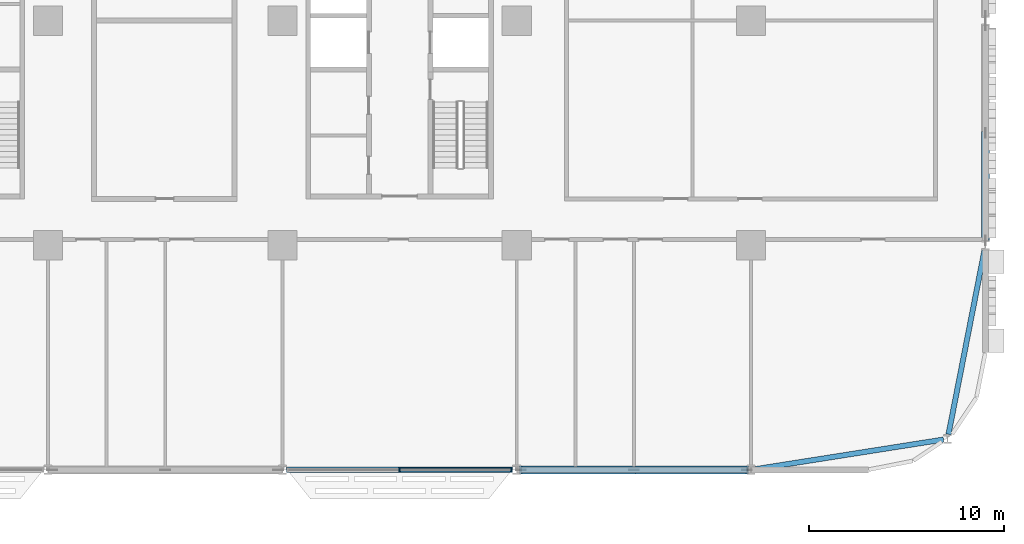
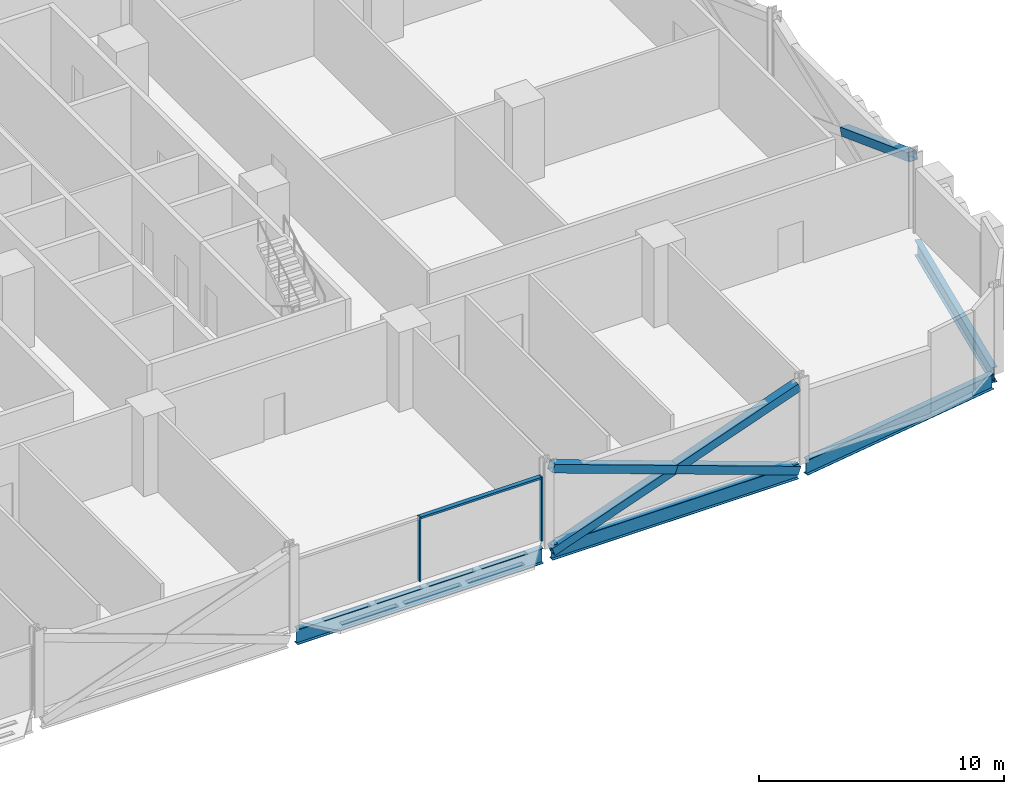
# One storey, part 8 of 29: 7 members, 4 beams, 1 element without a shape of its own.
"""IFC4 building model written with IfcOpenShell, lengths in metres."""

from ifc_helpers import new_model, si_unit, direction, frame, origin, origin_2d, place, context, subcontext, project, spatial, rectangle, hollow_rectangle, i_section, extrude, material, material_profile, profile_set, type_object, element, aggregate, save


model = new_model("IFC4")

# Units and contexts
model_context = context("Model", 3, precision=1e-05, world=origin(), true_north=direction((0.0, 1.0)))
body_context = subcontext(model_context, "Body", "Model", "MODEL_VIEW")
ifc_project = project(units=[si_unit("LENGTHUNIT", "METRE"), si_unit("AREAUNIT", "SQUARE_METRE"), si_unit("VOLUMEUNIT", "CUBIC_METRE"), si_unit("PLANEANGLEUNIT", "RADIAN"), si_unit("MASSUNIT", "GRAM", prefix="KILO")], contexts=[model_context])

# Site, building, storey
site_placement = place(None, origin())
site = spatial("IfcSite", under=ifc_project, at=site_placement, CompositionType="ELEMENT")
building_placement = place(site_placement, origin())
building = spatial("IfcBuilding", under=site, at=building_placement, Name="Mahtab Terrace Research Tower", CompositionType="ELEMENT")
storey_placement = place(building_placement, frame((0.0, 0.0, 67.5)))
storey = spatial("IfcBuildingStorey", under=building, at=storey_placement, Name="L15", CompositionType="ELEMENT", Elevation=67.5)

# Members
ifc_material_1 = material(Name="Steel ASTM A500 Gr C", Category="steel")
ifc_material_profile_1 = material_profile(ifc_material_1, hollow_rectangle(XDim=0.406494140625, YDim=0.406494140625, WallThickness=0.01904296875, at=origin_2d()), Name="HSS16X16X3/4")
ifc_profile_set_1 = profile_set([ifc_material_profile_1], Name="Steel ASTM A500 Gr C")
member_type_1 = type_object("IfcMemberType", Name="HSS 16x16x3/4 brace XB161634", PredefinedType="BRACE", material=ifc_profile_set_1)
member_1_placement = place(storey_placement, frame((30.212158203125, -23.0, -0.642333984375), z_axis=(0.941386519928, 0.0, 0.337329838731), x_axis=(0.0, 1.0, 0.0)))
element("IfcMember", 1, at=member_1_placement, inside=storey, type_object=member_type_1, Name="Exoskeleton brace L15 19 a", PredefinedType="BRACE", context=body_context, shape_type="SweptSolid", body=[
    extrude(hollow_rectangle(XDim=0.406494140625, YDim=0.406494140625, WallThickness=0.01904296875, at=origin_2d()), origin(), (0.0, 0.0, 1.0), 12.29638671875),
])
for number, where, z_axis, x_axis, name in (
    (2, (41.787841796875, -23.0, -0.642333984375), (-0.941386519928, 0.0, 0.337329838731), (0.0, -1.0, 0.0), "Exoskeleton brace L15 19 b1"),
    (3, (36.0, -23.0, 1.431640625), (-0.941386519928, 0.0, 0.337329838731), (0.0, -1.0, 0.0), "Exoskeleton brace L15 19 b2"),
):
    element("IfcMember", number, at=place(storey_placement, frame(where, z_axis=z_axis, x_axis=x_axis)), inside=storey, type_object=member_type_1, Name=name, PredefinedType="BRACE", context=body_context, shape_type="SweptSolid", body=[
        extrude(hollow_rectangle(XDim=0.406494140625, YDim=0.406494140625, WallThickness=0.01904296875, at=origin_2d()), origin(), (0.0, 0.0, 1.0), 6.148193359375),
    ])
member_2_placement = place(storey_placement, frame((54.0, -5.75, 1.431640625), z_axis=(0.0, -0.936671402403, 0.350209485765), x_axis=(1.0, 0.0, 0.0)))
element("IfcMember", 4, at=member_2_placement, inside=storey, type_object=member_type_1, Name="Exoskeleton brace L15 22 b2", PredefinedType="BRACE", context=body_context, shape_type="SweptSolid", body=[
    extrude(hollow_rectangle(XDim=0.406494140625, YDim=0.406494140625, WallThickness=0.01904296875, at=origin_2d()), origin(), (0.0, 0.0, 1.0), 5.88525390625),
])

# Curtain wall, members
ifc_material_2 = material(Name="Laboratory ribbon curtain wall")
curtain_wall_type = type_object("IfcCurtainWallType", Name="Laboratory ribbon curtain wall", PredefinedType="NOTDEFINED", material=ifc_material_2)
curtain_wall_placement = place(storey_placement, origin())
curtain_wall = element("IfcCurtainWall", 5, at=curtain_wall_placement, inside=storey, type_object=curtain_wall_type, Name="EN.L15.13.28", PredefinedType="NOTDEFINED")
ifc_material_3 = material(Name="Natural anodised aluminium", Category="aluminium")
ifc_material_profile_2 = material_profile(ifc_material_3, rectangle(XDim=0.199951171875, YDim=0.06494140625, at=origin_2d()), Name="MULLION 65x200")
ifc_profile_set_2 = profile_set([ifc_material_profile_2], Name="Natural anodised aluminium")
member_type_2 = type_object("IfcMemberType", Name="Laboratory ribbon curtain wall mullion", PredefinedType="MULLION", material=ifc_profile_set_2)
member_3_placement = place(storey_placement, frame((24.0, -23.0, 0.0), z_axis=(0.0, 0.0, 1.0), x_axis=(0.0, 1.0, 0.0)))
member_3 = element("IfcMember", 6, at=member_3_placement, type_object=member_type_2, Name="CWL-2 mullion 2", PredefinedType="MULLION", context=body_context, shape_type="SweptSolid", body=[
    extrude(rectangle(XDim=0.199951171875, YDim=0.06494140625, at=origin_2d()), origin(), (0.0, 0.0, 1.0), 3.203125),
])
member_4_placement = place(storey_placement, frame((29.7294921875, -23.0, 0.0), z_axis=(0.0, 0.0, 1.0), x_axis=(0.0, 1.0, 0.0)))
member_4 = element("IfcMember", 7, at=member_4_placement, type_object=member_type_2, Name="CWL-2 mullion 3", PredefinedType="MULLION", context=body_context, shape_type="SweptSolid", body=[
    extrude(rectangle(XDim=0.199951171875, YDim=0.06494140625, at=origin_2d()), origin(), (0.0, 0.0, 1.0), 3.203125),
])
ifc_material_profile_3 = material_profile(ifc_material_3, rectangle(XDim=0.199951171875, YDim=0.10009765625, at=origin_2d()), Name="TRANSOM 100x200")
ifc_profile_set_3 = profile_set([ifc_material_profile_3], Name="Natural anodised aluminium")
member_type_3 = type_object("IfcMemberType", Name="Laboratory ribbon curtain wall transom", PredefinedType="USERDEFINED", material=ifc_profile_set_3)
member_5_placement = place(storey_placement, frame((24.032470703125, -23.0, 3.153076171875), z_axis=(1.0, 0.0, 0.0), x_axis=(0.0, 1.0, 0.0)))
member_5 = element("IfcMember", 8, at=member_5_placement, type_object=member_type_3, Name="CWL-2 transom 2", ObjectType="TRANSOM", PredefinedType="USERDEFINED", context=body_context, shape_type="SweptSolid", body=[
    extrude(rectangle(XDim=0.199951171875, YDim=0.10009765625, at=origin_2d()), origin(), (0.0, 0.0, 1.0), 5.66455078125),
])
aggregate(curtain_wall, [member_3, member_4, member_5])

# Beams
ifc_material_4 = material(Name="Steel ASTM A992 Gr 50", Category="steel")
ifc_material_profile_4 = material_profile(ifc_material_4, i_section(OverallWidth=0.2666015625, OverallDepth=0.7568359375, WebThickness=0.013916015625, FlangeThickness=0.019287109375, at=origin_2d()), Name="W30X108")
ifc_profile_set_4 = profile_set([ifc_material_profile_4], Name="Steel ASTM A992 Gr 50")
beam_type = type_object("IfcBeamType", Name="W30x108 beam BS30108", PredefinedType="BEAM", material=ifc_profile_set_4)
for number, where, z_axis, x_axis, name in (
    (9, (18.212158203125, -23.0, -0.718505859375), (1.0, 0.0, 0.0), (0.0, 1.0, 0.0), "Spandrel beam L15 18"),
    (10, (30.212158203125, -23.0, -0.718505859375), (1.0, 0.0, 0.0), (0.0, 1.0, 0.0), "Spandrel beam L15 19"),
):
    element("IfcBeam", number, at=place(storey_placement, frame(where, z_axis=z_axis, x_axis=x_axis)), inside=storey, type_object=beam_type, Name=name, PredefinedType="BEAM", context=body_context, shape_type="SweptSolid", body=[
        extrude(i_section(OverallWidth=0.2666015625, OverallDepth=0.7568359375, WebThickness=0.013916015625, FlangeThickness=0.019287109375, at=origin_2d()), origin(), (0.0, 0.0, 1.0), 11.57568359375),
    ])
beam_1_placement = place(storey_placement, frame((42.212158203125, -22.966552734375, -0.718505859375), z_axis=(0.987836303792, 0.155497385545, 0.0), x_axis=(-0.155497385545, 0.987836303792, 0.0)))
element("IfcBeam", 11, at=beam_1_placement, inside=storey, type_object=beam_type, Name="Spandrel beam L15 20", PredefinedType="BEAM", context=body_context, shape_type="SweptSolid", body=[
    extrude(i_section(OverallWidth=0.2666015625, OverallDepth=0.7568359375, WebThickness=0.013916015625, FlangeThickness=0.019287109375, at=origin_2d()), origin(), (0.0, 0.0, 1.0), 9.75634765625),
])
beam_2_placement = place(storey_placement, frame((52.1083984375, -21.178466796875, -0.718505859375), z_axis=(0.191819239661, 0.981430272254, 0.0), x_axis=(-0.981430272254, 0.191819239661, 0.0)))
element("IfcBeam", 12, at=beam_2_placement, inside=storey, type_object=beam_type, Name="Spandrel beam L15 21", PredefinedType="BEAM", context=body_context, shape_type="SweptSolid", body=[
    extrude(i_section(OverallWidth=0.2666015625, OverallDepth=0.7568359375, WebThickness=0.013916015625, FlangeThickness=0.019287109375, at=origin_2d()), origin(), (0.0, 0.0, 1.0), 9.61962890625),
])

save(model, "model.ifc")
